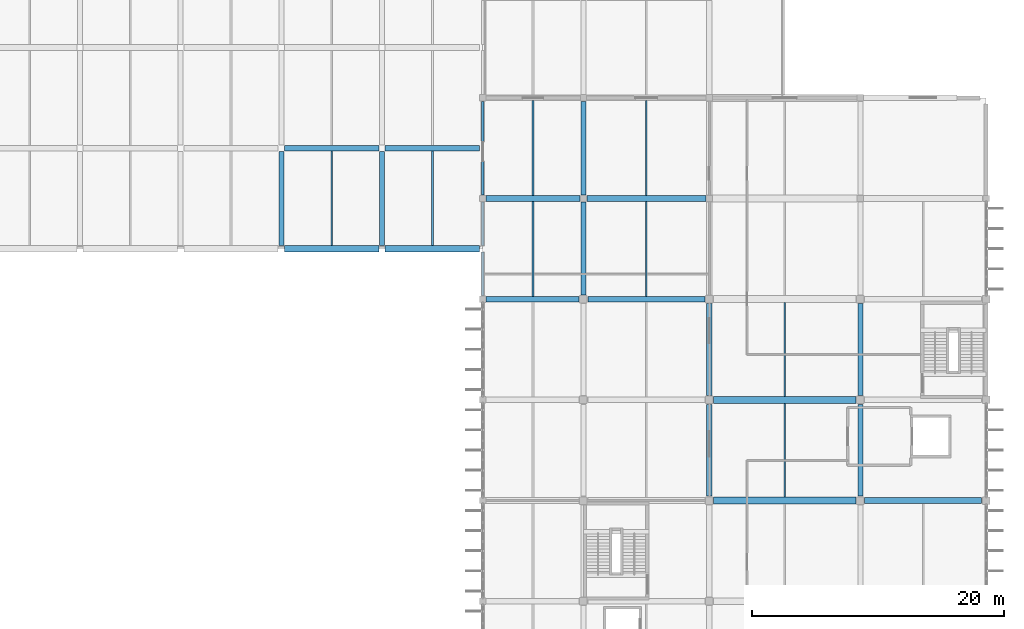
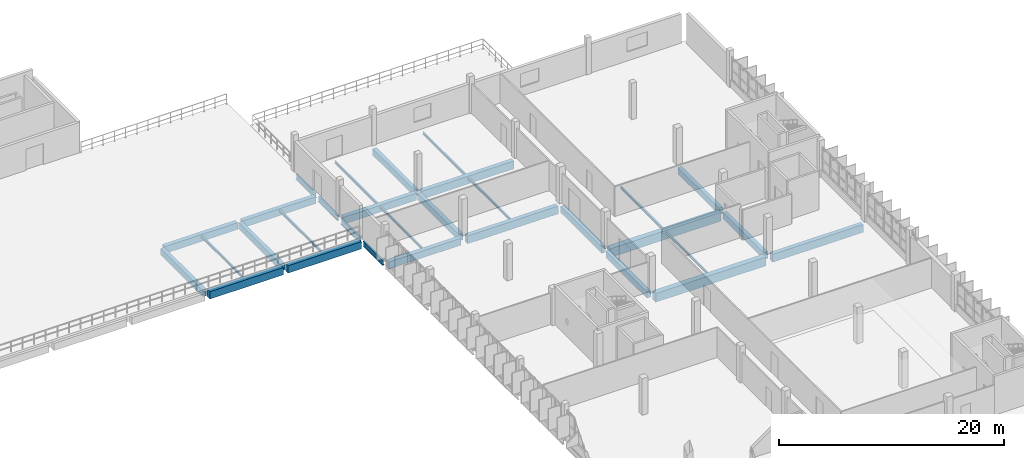
# One storey, part 33 of 66: 31 beams.
"""IFC4 building model written with IfcOpenShell, lengths in metres."""

from ifc_helpers import new_model, si_unit, direction, frame, origin, origin_2d, place, context, subcontext, project, spatial, rectangle, i_section, extrude, material, material_profile, profile_set, type_object, element, save


model = new_model("IFC4")

# Units and contexts
model_context = context("Model", 3, precision=1e-05, world=origin(), true_north=direction((0.0, 1.0)))
body_context = subcontext(model_context, "Body", "Model", "MODEL_VIEW")
ifc_project = project(units=[si_unit("LENGTHUNIT", "METRE"), si_unit("AREAUNIT", "SQUARE_METRE"), si_unit("VOLUMEUNIT", "CUBIC_METRE"), si_unit("PLANEANGLEUNIT", "RADIAN"), si_unit("MASSUNIT", "GRAM", prefix="KILO")], contexts=[model_context])

# Site, building, storey
site_placement = place(None, origin())
site = spatial("IfcSite", under=ifc_project, at=site_placement, CompositionType="ELEMENT")
building_placement = place(site_placement, origin())
building = spatial("IfcBuilding", under=site, at=building_placement, Name="Drelvana Railside Aquatics Centre", CompositionType="ELEMENT")
storey_placement = place(building_placement, frame((0.0, 0.0, 10.199951171875)))
storey = spatial("IfcBuildingStorey", under=building, at=storey_placement, Name="L02", CompositionType="ELEMENT", Elevation=10.199951171875)

# Beams
ifc_material_1 = material(Name="Concrete C40/50", Category="concrete")
ifc_material_profile_1 = material_profile(ifc_material_1, rectangle(XDim=0.39990234375, YDim=0.699951171875, at=origin_2d()), Name="RC 400x700")
ifc_profile_set_1 = profile_set([ifc_material_profile_1], Name="Concrete C40/50")
beam_type_1 = type_object("IfcBeamType", Name="STR-BM-BM-03-RC-400x700", PredefinedType="BEAM", material=ifc_profile_set_1)
for number, where, z_axis, x_axis, name in (
    (1, (128.0, 84.25, -0.599853515625), (0.0, 1.0, 0.0), (-1.0, 0.0, 0.0), "Girder BM-03 (L02)"),
    (2, (136.0, 84.25, -0.599853515625), (0.0, 1.0, 0.0), (-1.0, 0.0, 0.0), "Girder BM-03 (L02)"),
):
    element("IfcBeam", number, at=place(storey_placement, frame(where, z_axis=z_axis, x_axis=x_axis)), inside=storey, type_object=beam_type_1, Name=name, PredefinedType="BEAM", context=body_context, shape_type="SweptSolid", body=[
        extrude(rectangle(XDim=0.39990234375, YDim=0.699951171875, at=origin_2d()), origin(), (0.0, 0.0, 1.0), 7.5),
    ])
beam_1_placement = place(storey_placement, frame((152.0, 80.35009765625, -0.599853515625), z_axis=(0.0, 1.0, 0.0), x_axis=(-1.0, 0.0, 0.0)))
element("IfcBeam", 3, at=beam_1_placement, inside=storey, type_object=beam_type_1, Name="Girder BM-03 (L02)", PredefinedType="BEAM", context=body_context, shape_type="SweptSolid", body=[
    extrude(rectangle(XDim=0.39990234375, YDim=0.699951171875, at=origin_2d()), origin(), (0.0, 0.0, 1.0), 7.375),
])
beam_2_placement = place(storey_placement, frame((152.0, 88.27490234375, -0.599853515625), z_axis=(0.0, 1.0, 0.0), x_axis=(-1.0, 0.0, 0.0)))
element("IfcBeam", 4, at=beam_2_placement, inside=storey, type_object=beam_type_1, Name="Girder BM-03 (L02)", PredefinedType="BEAM", context=body_context, shape_type="SweptSolid", body=[
    extrude(rectangle(XDim=0.39990234375, YDim=0.699951171875, at=origin_2d()), origin(), (0.0, 0.0, 1.0), 7.4501953125),
])
for number, where, z_axis, x_axis, name in (
    (5, (162.0, 64.35009765625, -0.599853515625), (0.0, 1.0, 0.0), (-1.0, 0.0, 0.0), "Girder BM-03 (L02)"),
    (6, (162.0, 72.35009765625, -0.599853515625), (0.0, 1.0, 0.0), (-1.0, 0.0, 0.0), "Girder BM-03 (L02)"),
    (7, (174.0, 64.35009765625, -0.599853515625), (0.0, 1.0, 0.0), (-1.0, 0.0, 0.0), "Girder BM-03 (L02)"),
    (8, (174.0, 72.35009765625, -0.599853515625), (0.0, 1.0, 0.0), (-1.0, 0.0, 0.0), "Girder BM-03 (L02)"),
):
    element("IfcBeam", number, at=place(storey_placement, frame(where, z_axis=z_axis, x_axis=x_axis)), inside=storey, type_object=beam_type_1, Name=name, PredefinedType="BEAM", context=body_context, shape_type="SweptSolid", body=[
        extrude(rectangle(XDim=0.39990234375, YDim=0.699951171875, at=origin_2d()), origin(), (0.0, 0.0, 1.0), 7.2998046875),
    ])
ifc_material_profile_2 = material_profile(ifc_material_1, rectangle(XDim=0.449951171875, YDim=0.75, at=origin_2d()), Name="RC 450x750")
ifc_profile_set_2 = profile_set([ifc_material_profile_2], Name="Concrete C40/50")
beam_type_2 = type_object("IfcBeamType", Name="STR-BM-BM-04-RC-450x750", PredefinedType="BEAM", material=ifc_profile_set_2)
beam_3_placement = place(storey_placement, frame((144.27490234375, 80.0, -0.625), z_axis=(1.0, 0.0, 0.0), x_axis=(0.0, 1.0, 0.0)))
element("IfcBeam", 9, at=beam_3_placement, inside=storey, type_object=beam_type_2, Name="Girder BM-04 (L02)", PredefinedType="BEAM", context=body_context, shape_type="SweptSolid", body=[
    extrude(rectangle(XDim=0.449951171875, YDim=0.75, at=origin_2d()), origin(), (0.0, 0.0, 1.0), 7.375),
])
beam_4_placement = place(storey_placement, frame((144.27490234375, 88.0, -0.625), z_axis=(1.0, 0.0, 0.0), x_axis=(0.0, 1.0, 0.0)))
element("IfcBeam", 10, at=beam_4_placement, inside=storey, type_object=beam_type_2, Name="Girder BM-04 (L02)", PredefinedType="BEAM", context=body_context, shape_type="SweptSolid", body=[
    extrude(rectangle(XDim=0.449951171875, YDim=0.75, at=origin_2d()), origin(), (0.0, 0.0, 1.0), 7.4501953125),
])
for number, where, z_axis, x_axis, name in (
    (11, (128.25, 92.0, -0.625), (1.0, 0.0, 0.0), (0.0, 1.0, 0.0), "Girder BM-04 (L02)"),
    (12, (136.25, 92.0, -0.625), (1.0, 0.0, 0.0), (0.0, 1.0, 0.0), "Girder BM-04 (L02)"),
):
    element("IfcBeam", number, at=place(storey_placement, frame(where, z_axis=z_axis, x_axis=x_axis)), inside=storey, type_object=beam_type_2, Name=name, PredefinedType="BEAM", context=body_context, shape_type="SweptSolid", body=[
        extrude(rectangle(XDim=0.449951171875, YDim=0.75, at=origin_2d()), origin(), (0.0, 0.0, 1.0), 7.5),
    ])
ifc_material_profile_3 = material_profile(ifc_material_1, rectangle(XDim=0.449951171875, YDim=0.85009765625, at=origin_2d()), Name="RC 450x850")
ifc_profile_set_3 = profile_set([ifc_material_profile_3], Name="Concrete C40/50")
beam_type_3 = type_object("IfcBeamType", Name="STR-BM-BM-05-RC-450x850", PredefinedType="BEAM", material=ifc_profile_set_3)
for number, where, z_axis, x_axis, name in (
    (13, (174.35009765625, 64.0, -0.675048828125), (1.0, 0.0, 0.0), (0.0, 1.0, 0.0), "Girder BM-05 (L02)"),
    (14, (152.35009765625, 80.0, -0.675048828125), (1.0, 0.0, 0.0), (0.0, 1.0, 0.0), "Girder BM-05 (L02)"),
):
    element("IfcBeam", number, at=place(storey_placement, frame(where, z_axis=z_axis, x_axis=x_axis)), inside=storey, type_object=beam_type_3, Name=name, PredefinedType="BEAM", context=body_context, shape_type="SweptSolid", body=[
        extrude(rectangle(XDim=0.449951171875, YDim=0.85009765625, at=origin_2d()), origin(), (0.0, 0.0, 1.0), 9.2998046875),
    ])
beam_5_placement = place(storey_placement, frame((152.27490234375, 88.0, -0.675048828125), z_axis=(1.0, 0.0, 0.0), x_axis=(0.0, 1.0, 0.0)))
element("IfcBeam", 15, at=beam_5_placement, inside=storey, type_object=beam_type_3, Name="Girder BM-05 (L02)", PredefinedType="BEAM", context=body_context, shape_type="SweptSolid", body=[
    extrude(rectangle(XDim=0.449951171875, YDim=0.85009765625, at=origin_2d()), origin(), (0.0, 0.0, 1.0), 9.4501953125),
])
ifc_material_profile_4 = material_profile(ifc_material_1, rectangle(XDim=0.5, YDim=0.800048828125, at=origin_2d()), Name="RC 500x800")
ifc_profile_set_4 = profile_set([ifc_material_profile_4], Name="Concrete C40/50")
beam_type_4 = type_object("IfcBeamType", Name="STR-BM-BM-06-RC-500x800", PredefinedType="SPANDREL", material=ifc_profile_set_4)
for number, where, z_axis, x_axis, name in (
    (16, (128.25, 84.0, -0.64990234375), (1.0, 0.0, 0.0), (0.0, 1.0, 0.0), "Girder BM-06 (L02)"),
    (17, (136.25, 84.0, -0.64990234375), (1.0, 0.0, 0.0), (0.0, 1.0, 0.0), "Girder BM-06 (L02)"),
):
    element("IfcBeam", number, at=place(storey_placement, frame(where, z_axis=z_axis, x_axis=x_axis)), inside=storey, type_object=beam_type_4, Name=name, PredefinedType="SPANDREL", context=body_context, shape_type="SweptSolid", body=[
        extrude(rectangle(XDim=0.5, YDim=0.800048828125, at=origin_2d()), origin(), (0.0, 0.0, 1.0), 7.5),
    ])
ifc_material_profile_5 = material_profile(ifc_material_1, rectangle(XDim=0.550048828125, YDim=0.949951171875, at=origin_2d()), Name="RC 550x950")
ifc_profile_set_5 = profile_set([ifc_material_profile_5], Name="Concrete C40/50")
beam_type_5 = type_object("IfcBeamType", Name="STR-BM-BM-08-RC-550x950", PredefinedType="BEAM", material=ifc_profile_set_5)
for number, where, z_axis, x_axis, name in (
    (18, (162.35009765625, 64.0, -0.724853515625), (1.0, 0.0, 0.0), (0.0, 1.0, 0.0), "Girder BM-08 (L02)"),
    (19, (162.35009765625, 72.0, -0.724853515625), (1.0, 0.0, 0.0), (0.0, 1.0, 0.0), "Girder BM-08 (L02)"),
):
    element("IfcBeam", number, at=place(storey_placement, frame(where, z_axis=z_axis, x_axis=x_axis)), inside=storey, type_object=beam_type_5, Name=name, PredefinedType="BEAM", context=body_context, shape_type="SweptSolid", body=[
        extrude(rectangle(XDim=0.550048828125, YDim=0.949951171875, at=origin_2d()), origin(), (0.0, 0.0, 1.0), 11.2998046875),
    ])
ifc_material_2 = material(Name="Structural steel S355", Category="steel")
ifc_material_profile_6 = material_profile(ifc_material_2, i_section(OverallWidth=0.2099609375, OverallDepth=0.550048828125, WebThickness=0.010986328125, FlangeThickness=0.01708984375, at=origin_2d()), Name="IPE 550")
ifc_profile_set_6 = profile_set([ifc_material_profile_6], Name="Structural steel S355")
beam_type_6 = type_object("IfcBeamType", Name="STR-SBM-SB-04-IPE-550", PredefinedType="SPANDREL", material=ifc_profile_set_6)
for number, where, z_axis, x_axis, name in (
    (20, (144.0, 80.27490234375, -0.52490234375), (0.0, 1.0, 0.0), (-1.0, 0.0, 0.0), "Girder SB-04 (L02)"),
    (21, (144.0, 84.25, -0.52490234375), (0.0, 1.0, 0.0), (-1.0, 0.0, 0.0), "Girder SB-04 (L02)"),
    (22, (144.0, 88.27490234375, -0.52490234375), (0.0, 1.0, 0.0), (-1.0, 0.0, 0.0), "Girder SB-04 (L02)"),
    (23, (144.0, 92.25, -0.52490234375), (0.0, 1.0, 0.0), (-1.0, 0.0, 0.0), "Girder SB-04 (L02)"),
):
    element("IfcBeam", number, at=place(storey_placement, frame(where, z_axis=z_axis, x_axis=x_axis)), inside=storey, type_object=beam_type_6, Name=name, PredefinedType="SPANDREL", context=body_context, shape_type="SweptSolid", body=[
        extrude(i_section(OverallWidth=0.2099609375, OverallDepth=0.550048828125, WebThickness=0.010986328125, FlangeThickness=0.01708984375, at=origin_2d()), origin(), (0.0, 0.0, 1.0), 3.47509765625),
    ])
ifc_material_profile_7 = material_profile(ifc_material_2, i_section(OverallWidth=0.135009765625, OverallDepth=0.27001953125, WebThickness=0.006591796875, FlangeThickness=0.01025390625, at=origin_2d()), Name="IPE 270")
ifc_profile_set_7 = profile_set([ifc_material_profile_7], Name="Structural steel S355")
beam_type_7 = type_object("IfcBeamType", Name="STR-SBM-SJ-02-IPE-270", PredefinedType="JOIST", material=ifc_profile_set_7)
for number, where, z_axis, x_axis, name in (
    (24, (132.0, 84.25, -0.385009765625), (0.0, 1.0, 0.0), (-1.0, 0.0, 0.0), "Secondary floor joist SJ-02 (L02)"),
    (25, (140.0, 84.25, -0.385009765625), (0.0, 1.0, 0.0), (-1.0, 0.0, 0.0), "Secondary floor joist SJ-02 (L02)"),
):
    element("IfcBeam", number, at=place(storey_placement, frame(where, z_axis=z_axis, x_axis=x_axis)), inside=storey, type_object=beam_type_7, Name=name, PredefinedType="JOIST", context=body_context, shape_type="SweptSolid", body=[
        extrude(i_section(OverallWidth=0.135009765625, OverallDepth=0.27001953125, WebThickness=0.006591796875, FlangeThickness=0.01025390625, at=origin_2d()), origin(), (0.0, 0.0, 1.0), 7.52490234375),
    ])
for number, where, z_axis, x_axis, name in (
    (26, (148.0, 80.22509765625, -0.385009765625), (0.0, 1.0, 0.0), (-1.0, 0.0, 0.0), "Secondary floor joist SJ-02 (L02)"),
    (27, (148.0, 88.22509765625, -0.385009765625), (0.0, 1.0, 0.0), (-1.0, 0.0, 0.0), "Secondary floor joist SJ-02 (L02)"),
    (28, (157.0, 80.22509765625, -0.385009765625), (0.0, 1.0, 0.0), (-1.0, 0.0, 0.0), "Secondary floor joist SJ-02 (L02)"),
    (29, (157.0, 88.22509765625, -0.385009765625), (0.0, 1.0, 0.0), (-1.0, 0.0, 0.0), "Secondary floor joist SJ-02 (L02)"),
):
    element("IfcBeam", number, at=place(storey_placement, frame(where, z_axis=z_axis, x_axis=x_axis)), inside=storey, type_object=beam_type_7, Name=name, PredefinedType="JOIST", context=body_context, shape_type="SweptSolid", body=[
        extrude(i_section(OverallWidth=0.135009765625, OverallDepth=0.27001953125, WebThickness=0.006591796875, FlangeThickness=0.01025390625, at=origin_2d()), origin(), (0.0, 0.0, 1.0), 7.5498046875),
    ])
for number, where, z_axis, x_axis, name in (
    (30, (168.0, 64.27490234375, -0.385009765625), (0.0, 1.0, 0.0), (-1.0, 0.0, 0.0), "Secondary floor joist SJ-02 (L02)"),
    (31, (168.0, 72.27490234375, -0.385009765625), (0.0, 1.0, 0.0), (-1.0, 0.0, 0.0), "Secondary floor joist SJ-02 (L02)"),
):
    element("IfcBeam", number, at=place(storey_placement, frame(where, z_axis=z_axis, x_axis=x_axis)), inside=storey, type_object=beam_type_7, Name=name, PredefinedType="JOIST", context=body_context, shape_type="SweptSolid", body=[
        extrude(i_section(OverallWidth=0.135009765625, OverallDepth=0.27001953125, WebThickness=0.006591796875, FlangeThickness=0.01025390625, at=origin_2d()), origin(), (0.0, 0.0, 1.0), 7.4501953125),
    ])

save(model, "model.ifc")
